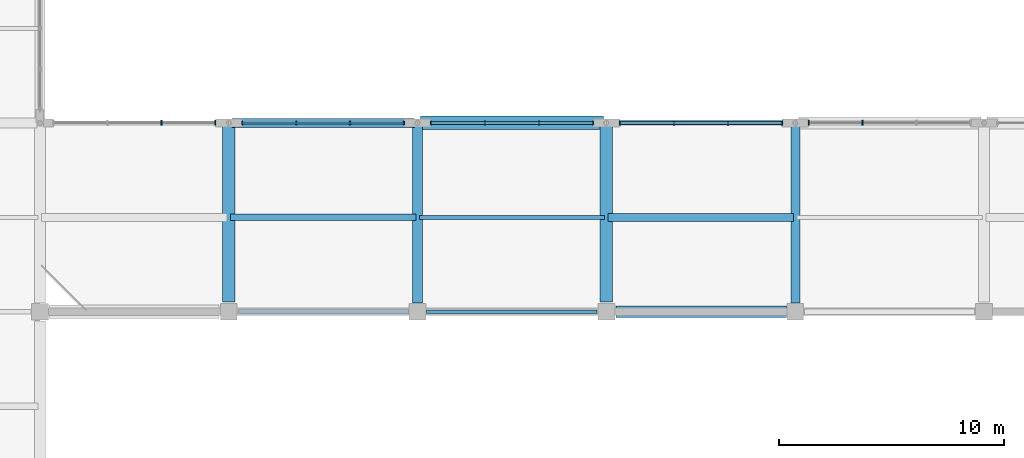
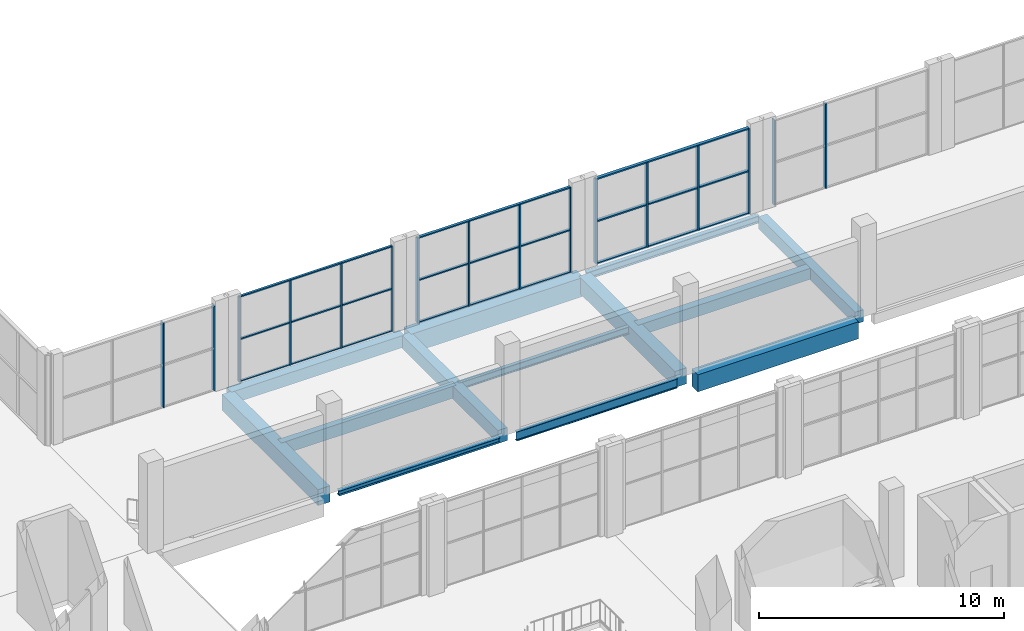
# One storey, part 29 of 75: 25 members, 13 beams, 5 elements without a shape of their own.
"""IFC4 building model written with IfcOpenShell, lengths in metres."""

from ifc_helpers import new_model, si_unit, derived_unit, direction, frame, origin, origin_2d, place, context, subcontext, project, spatial, rectangle, i_section, extrude, material, material_profile, profile_set, type_object, element, aggregate, save


model = new_model("IFC4")

# Units and contexts
model_context = context("Model", 3, precision=1e-05, world=origin(), true_north=direction((0.0, 1.0)))
body_context = subcontext(model_context, "Body", "Model", "MODEL_VIEW")
ifc_project = project(units=[si_unit("LENGTHUNIT", "METRE"), si_unit("AREAUNIT", "SQUARE_METRE"), si_unit("VOLUMEUNIT", "CUBIC_METRE"), si_unit("PLANEANGLEUNIT", "RADIAN"), si_unit("MASSUNIT", "GRAM", prefix="KILO"), derived_unit("THERMALTRANSMITTANCEUNIT", [(si_unit("POWERUNIT", "WATT"), 1), (si_unit("LENGTHUNIT", "METRE"), -2), (si_unit("THERMODYNAMICTEMPERATUREUNIT", "KELVIN"), -1)])], contexts=[model_context])

# Site, building, storey
site_placement = place(None, origin())
site = spatial("IfcSite", under=ifc_project, at=site_placement, CompositionType="ELEMENT")
building_placement = place(site_placement, origin())
building = spatial("IfcBuilding", under=site, at=building_placement, Name="Barrovel Congress Hotel", CompositionType="ELEMENT")
storey_placement = place(building_placement, frame((0.0, 0.0, 5.39990234375)))
storey = spatial("IfcBuildingStorey", under=building, at=storey_placement, Name="L01", CompositionType="ELEMENT", Elevation=5.39990234375)

# Beams
ifc_material_1 = material(Name="Concrete C40", Category="concrete")
ifc_material_profile_1 = material_profile(ifc_material_1, rectangle(XDim=0.300048828125, YDim=0.60009765625, at=origin_2d()), Name="RC300x600")
ifc_profile_set_1 = profile_set([ifc_material_profile_1], Name="Concrete C40")
beam_type_1 = type_object("IfcBeamType", Name="BM-RC300x600", PredefinedType="JOIST", material=ifc_profile_set_1)
beam_1_placement = place(storey_placement, frame((67.280029296875, 42.0, -0.559814453125), z_axis=(1.0, 0.0, 0.0), x_axis=(0.0, 1.0, 0.0)))
element("IfcBeam", 1, at=beam_1_placement, inside=storey, type_object=beam_type_1, Name="JST:L01:67.2:42.0", PredefinedType="JOIST", context=body_context, shape_type="SweptSolid", body=[
    extrude(rectangle(XDim=0.300048828125, YDim=0.60009765625, at=origin_2d()), origin(), (0.0, 0.0, 1.0), 8.239990234375),
])
ifc_material_profile_2 = material_profile(ifc_material_1, rectangle(XDim=0.35009765625, YDim=0.550048828125, at=origin_2d()), Name="RC350x550")
ifc_profile_set_2 = profile_set([ifc_material_profile_2], Name="Concrete C40")
beam_type_2 = type_object("IfcBeamType", Name="BM-RC350x550", PredefinedType="JOIST", material=ifc_profile_set_2)
beam_2_placement = place(storey_placement, frame((84.080078125, 42.0, -0.534912109375), z_axis=(1.0, 0.0, 0.0), x_axis=(0.0, 1.0, 0.0)))
element("IfcBeam", 2, at=beam_2_placement, inside=storey, type_object=beam_type_2, Name="JST:L01:84.0:42.0", PredefinedType="JOIST", context=body_context, shape_type="SweptSolid", body=[
    extrude(rectangle(XDim=0.35009765625, YDim=0.550048828125, at=origin_2d()), origin(), (0.0, 0.0, 1.0), 8.239990234375),
])
ifc_material_profile_3 = material_profile(ifc_material_1, rectangle(XDim=0.39990234375, YDim=0.60009765625, at=origin_2d()), Name="RC400x600")
ifc_profile_set_3 = profile_set([ifc_material_profile_3], Name="Concrete C40")
beam_type_3 = type_object("IfcBeamType", Name="BM-RC400x600", PredefinedType="BEAM", material=ifc_profile_set_3)
beam_3_placement = place(storey_placement, frame((67.336669921875, 46.199951171875, -0.559814453125), z_axis=(1.0, 0.0, 0.0), x_axis=(0.0, 1.0, 0.0)))
element("IfcBeam", 3, at=beam_3_placement, inside=storey, type_object=beam_type_3, Name="BMX:L01:46.2:67.2-75.6", PredefinedType="BEAM", context=body_context, shape_type="SweptSolid", body=[
    extrude(rectangle(XDim=0.39990234375, YDim=0.60009765625, at=origin_2d()), origin(), (0.0, 0.0, 1.0), 8.126708984375),
])
beam_4_placement = place(storey_placement, frame((92.39990234375, 38.199951171875, -0.559814453125), z_axis=(0.0, 1.0, 0.0), x_axis=(-1.0, 0.0, 0.0)))
element("IfcBeam", 4, at=beam_4_placement, inside=storey, type_object=beam_type_3, Name="BMY:L01:92.4:37.8-46.2", PredefinedType="BEAM", context=body_context, shape_type="SweptSolid", body=[
    extrude(rectangle(XDim=0.39990234375, YDim=0.60009765625, at=origin_2d()), origin(), (0.0, 0.0, 1.0), 7.863525390625),
])
ifc_material_profile_4 = material_profile(ifc_material_1, rectangle(XDim=0.449951171875, YDim=0.64990234375, at=origin_2d()), Name="RC450x650")
ifc_profile_set_4 = profile_set([ifc_material_profile_4], Name="Concrete C40")
beam_type_4 = type_object("IfcBeamType", Name="BM-RC450x650", PredefinedType="BEAM", material=ifc_profile_set_4)
beam_5_placement = place(storey_placement, frame((75.60009765625, 38.199951171875, -0.5849609375), z_axis=(0.0, 1.0, 0.0), x_axis=(-1.0, 0.0, 0.0)))
element("IfcBeam", 5, at=beam_5_placement, inside=storey, type_object=beam_type_4, Name="BMY:L01:75.6:37.8-46.2", PredefinedType="BEAM", context=body_context, shape_type="SweptSolid", body=[
    extrude(rectangle(XDim=0.449951171875, YDim=0.64990234375, at=origin_2d()), origin(), (0.0, 0.0, 1.0), 7.863525390625),
])
ifc_material_profile_5 = material_profile(ifc_material_1, rectangle(XDim=0.5, YDim=0.85009765625, at=origin_2d()), Name="RC500x850")
ifc_profile_set_5 = profile_set([ifc_material_profile_5], Name="Concrete C40")
beam_type_5 = type_object("IfcBeamType", Name="BM-RC500x850", PredefinedType="BEAM", material=ifc_profile_set_5)
beam_6_placement = place(storey_placement, frame((84.425048828125, 37.800048828125, -0.684814453125), z_axis=(1.0, 0.0, 0.0), x_axis=(0.0, 1.0, 0.0)))
element("IfcBeam", 6, at=beam_6_placement, inside=storey, type_object=beam_type_5, Name="BMX:L01:37.8:84.0-92.4", PredefinedType="BEAM", context=body_context, shape_type="SweptSolid", body=[
    extrude(rectangle(XDim=0.5, YDim=0.85009765625, at=origin_2d()), origin(), (0.0, 0.0, 1.0), 7.574951171875),
])
ifc_material_profile_6 = material_profile(ifc_material_1, rectangle(XDim=0.550048828125, YDim=0.800048828125, at=origin_2d()), Name="RC550x800")
ifc_profile_set_6 = profile_set([ifc_material_profile_6], Name="Concrete C40")
beam_type_6 = type_object("IfcBeamType", Name="BM-RC550x800", PredefinedType="BEAM", material=ifc_profile_set_6)
for number, where, z_axis, x_axis, name in (
    (7, (67.199951171875, 38.22509765625, -0.659912109375), (0.0, 1.0, 0.0), (-1.0, 0.0, 0.0), "BMY:L01:67.2:37.8-46.2"),
    (8, (84.0, 38.22509765625, -0.659912109375), (0.0, 1.0, 0.0), (-1.0, 0.0, 0.0), "BMY:L01:84.0:37.8-46.2"),
):
    element("IfcBeam", number, at=place(storey_placement, frame(where, z_axis=z_axis, x_axis=x_axis)), inside=storey, type_object=beam_type_6, Name=name, PredefinedType="BEAM", context=body_context, shape_type="SweptSolid", body=[
        extrude(rectangle(XDim=0.550048828125, YDim=0.800048828125, at=origin_2d()), origin(), (0.0, 0.0, 1.0), 7.83837890625),
    ])
ifc_material_profile_7 = material_profile(ifc_material_1, rectangle(XDim=0.60009765625, YDim=0.949951171875, at=origin_2d()), Name="RC600x950")
ifc_profile_set_7 = profile_set([ifc_material_profile_7], Name="Concrete C40")
beam_type_7 = type_object("IfcBeamType", Name="BM-RC600x950", PredefinedType="BEAM", material=ifc_profile_set_7)
beam_7_placement = place(storey_placement, frame((75.736572265625, 46.199951171875, -0.73486328125), z_axis=(1.0, 0.0, 0.0), x_axis=(0.0, 1.0, 0.0)))
element("IfcBeam", 9, at=beam_7_placement, inside=storey, type_object=beam_type_7, Name="BMX:L01:46.2:75.6-84.0", PredefinedType="BEAM", context=body_context, shape_type="SweptSolid", body=[
    extrude(rectangle(XDim=0.60009765625, YDim=0.949951171875, at=origin_2d()), origin(), (0.0, 0.0, 1.0), 8.126953125),
])

# Curtain wall, members
ifc_material_2 = material(Name="Anodised Aluminium Alloy 6063-T6", Category="aluminium")
curtain_wall_type = type_object("IfcCurtainWallType", Name="CW-ST-7200x3600", PredefinedType="USERDEFINED", material=ifc_material_2)
curtain_wall_1_placement = place(storey_placement, origin())
curtain_wall_1 = element("IfcCurtainWall", 10, at=curtain_wall_1_placement, inside=storey, type_object=curtain_wall_type, Name="CW:L01:CL:08", ObjectType="STICK CURTAIN WALL", PredefinedType="USERDEFINED")
ifc_material_profile_8 = material_profile(ifc_material_2, rectangle(XDim=0.06005859375, YDim=0.139892578125, at=origin_2d()), Name="AL-M60x140")
ifc_profile_set_8 = profile_set([ifc_material_profile_8], Name="Anodised Aluminium Alloy 6063-T6")
member_type_1 = type_object("IfcMemberType", Name="CWM-AL-M60x140", PredefinedType="MULLION", material=ifc_profile_set_8)
member_1_placement = place(storey_placement, frame((75.0, 46.199951171875, 0.0), z_axis=(0.0, 0.0, 1.0), x_axis=(1.0, 0.0, 0.0)))
member_1 = element("IfcMember", 11, at=member_1_placement, type_object=member_type_1, Name="CW:L01:CL:08:M0", PredefinedType="MULLION", context=body_context, shape_type="SweptSolid", body=[
    extrude(rectangle(XDim=0.06005859375, YDim=0.139892578125, at=origin_2d()), origin(), (0.0, 0.0, 1.0), 4.22021484375),
])
member_2_placement = place(storey_placement, frame((72.60009765625, 46.199951171875, 0.0), z_axis=(0.0, 0.0, 1.0), x_axis=(1.0, 0.0, 0.0)))
member_2 = element("IfcMember", 12, at=member_2_placement, type_object=member_type_1, Name="CW:L01:CL:08:M1", PredefinedType="MULLION", context=body_context, shape_type="SweptSolid", body=[
    extrude(rectangle(XDim=0.06005859375, YDim=0.139892578125, at=origin_2d()), origin(), (0.0, 0.0, 1.0), 4.22021484375),
])
member_3_placement = place(storey_placement, frame((70.199951171875, 46.199951171875, 0.0), z_axis=(0.0, 0.0, 1.0), x_axis=(1.0, 0.0, 0.0)))
member_3 = element("IfcMember", 13, at=member_3_placement, type_object=member_type_1, Name="CW:L01:CL:08:M2", PredefinedType="MULLION", context=body_context, shape_type="SweptSolid", body=[
    extrude(rectangle(XDim=0.06005859375, YDim=0.139892578125, at=origin_2d()), origin(), (0.0, 0.0, 1.0), 4.22021484375),
])
member_4_placement = place(storey_placement, frame((67.800048828125, 46.199951171875, 0.0), z_axis=(0.0, 0.0, 1.0), x_axis=(1.0, 0.0, 0.0)))
member_4 = element("IfcMember", 14, at=member_4_placement, type_object=member_type_1, Name="CW:L01:CL:08:M3", PredefinedType="MULLION", context=body_context, shape_type="SweptSolid", body=[
    extrude(rectangle(XDim=0.06005859375, YDim=0.139892578125, at=origin_2d()), origin(), (0.0, 0.0, 1.0), 4.22021484375),
])

curtain_wall_2_placement = place(storey_placement, origin())
curtain_wall_2 = element("IfcCurtainWall", 15, at=curtain_wall_2_placement, inside=storey, type_object=curtain_wall_type, Name="CW:L01:CL:09", ObjectType="STICK CURTAIN WALL", PredefinedType="USERDEFINED")
ifc_material_profile_9 = material_profile(ifc_material_2, rectangle(XDim=0.06005859375, YDim=0.1650390625, at=origin_2d()), Name="AL-M60x165")
ifc_profile_set_9 = profile_set([ifc_material_profile_9], Name="Anodised Aluminium Alloy 6063-T6")
member_type_2 = type_object("IfcMemberType", Name="CWM-AL-M60x165", PredefinedType="MULLION", material=ifc_profile_set_9)
member_5_placement = place(storey_placement, frame((83.39990234375, 46.199951171875, 0.0), z_axis=(0.0, 0.0, 1.0), x_axis=(1.0, 0.0, 0.0)))
member_5 = element("IfcMember", 16, at=member_5_placement, type_object=member_type_2, Name="CW:L01:CL:09:M0", PredefinedType="MULLION", context=body_context, shape_type="SweptSolid", body=[
    extrude(rectangle(XDim=0.06005859375, YDim=0.1650390625, at=origin_2d()), origin(), (0.0, 0.0, 1.0), 4.22021484375),
])
member_6_placement = place(storey_placement, frame((81.0, 46.199951171875, 0.0), z_axis=(0.0, 0.0, 1.0), x_axis=(1.0, 0.0, 0.0)))
member_6 = element("IfcMember", 17, at=member_6_placement, type_object=member_type_2, Name="CW:L01:CL:09:M1", PredefinedType="MULLION", context=body_context, shape_type="SweptSolid", body=[
    extrude(rectangle(XDim=0.06005859375, YDim=0.1650390625, at=origin_2d()), origin(), (0.0, 0.0, 1.0), 4.22021484375),
])
member_7_placement = place(storey_placement, frame((78.60009765625, 46.199951171875, 0.0), z_axis=(0.0, 0.0, 1.0), x_axis=(1.0, 0.0, 0.0)))
member_7 = element("IfcMember", 18, at=member_7_placement, type_object=member_type_2, Name="CW:L01:CL:09:M2", PredefinedType="MULLION", context=body_context, shape_type="SweptSolid", body=[
    extrude(rectangle(XDim=0.06005859375, YDim=0.1650390625, at=origin_2d()), origin(), (0.0, 0.0, 1.0), 4.22021484375),
])
member_8_placement = place(storey_placement, frame((76.199951171875, 46.199951171875, 0.0), z_axis=(0.0, 0.0, 1.0), x_axis=(1.0, 0.0, 0.0)))
member_8 = element("IfcMember", 19, at=member_8_placement, type_object=member_type_2, Name="CW:L01:CL:09:M3", PredefinedType="MULLION", context=body_context, shape_type="SweptSolid", body=[
    extrude(rectangle(XDim=0.06005859375, YDim=0.1650390625, at=origin_2d()), origin(), (0.0, 0.0, 1.0), 4.22021484375),
])

curtain_wall_3_placement = place(storey_placement, origin())
curtain_wall_3 = element("IfcCurtainWall", 20, at=curtain_wall_3_placement, inside=storey, type_object=curtain_wall_type, Name="CW:L01:CL:10", ObjectType="STICK CURTAIN WALL", PredefinedType="USERDEFINED")
ifc_material_profile_10 = material_profile(ifc_material_2, rectangle(XDim=0.06494140625, YDim=0.18994140625, at=origin_2d()), Name="AL-M65x190")
ifc_profile_set_10 = profile_set([ifc_material_profile_10], Name="Anodised Aluminium Alloy 6063-T6")
member_type_3 = type_object("IfcMemberType", Name="CWM-AL-M65x190", PredefinedType="MULLION", material=ifc_profile_set_10)
member_9_placement = place(storey_placement, frame((91.800048828125, 46.199951171875, 0.0), z_axis=(0.0, 0.0, 1.0), x_axis=(1.0, 0.0, 0.0)))
member_9 = element("IfcMember", 21, at=member_9_placement, type_object=member_type_3, Name="CW:L01:CL:10:M0", PredefinedType="MULLION", context=body_context, shape_type="SweptSolid", body=[
    extrude(rectangle(XDim=0.06494140625, YDim=0.18994140625, at=origin_2d()), origin(), (0.0, 0.0, 1.0), 4.22021484375),
])
member_10_placement = place(storey_placement, frame((89.39990234375, 46.199951171875, 0.0), z_axis=(0.0, 0.0, 1.0), x_axis=(1.0, 0.0, 0.0)))
member_10 = element("IfcMember", 22, at=member_10_placement, type_object=member_type_3, Name="CW:L01:CL:10:M1", PredefinedType="MULLION", context=body_context, shape_type="SweptSolid", body=[
    extrude(rectangle(XDim=0.06494140625, YDim=0.18994140625, at=origin_2d()), origin(), (0.0, 0.0, 1.0), 4.22021484375),
])
member_11_placement = place(storey_placement, frame((87.0, 46.199951171875, 0.0), z_axis=(0.0, 0.0, 1.0), x_axis=(1.0, 0.0, 0.0)))
member_11 = element("IfcMember", 23, at=member_11_placement, type_object=member_type_3, Name="CW:L01:CL:10:M2", PredefinedType="MULLION", context=body_context, shape_type="SweptSolid", body=[
    extrude(rectangle(XDim=0.06494140625, YDim=0.18994140625, at=origin_2d()), origin(), (0.0, 0.0, 1.0), 4.22021484375),
])
member_12_placement = place(storey_placement, frame((84.60009765625, 46.199951171875, 0.0), z_axis=(0.0, 0.0, 1.0), x_axis=(1.0, 0.0, 0.0)))
member_12 = element("IfcMember", 24, at=member_12_placement, type_object=member_type_3, Name="CW:L01:CL:10:M3", PredefinedType="MULLION", context=body_context, shape_type="SweptSolid", body=[
    extrude(rectangle(XDim=0.06494140625, YDim=0.18994140625, at=origin_2d()), origin(), (0.0, 0.0, 1.0), 4.22021484375),
])

curtain_wall_4_placement = place(storey_placement, origin())
curtain_wall_4 = element("IfcCurtainWall", 25, at=curtain_wall_4_placement, inside=storey, type_object=curtain_wall_type, Name="CW:L01:CL:07", ObjectType="STICK CURTAIN WALL", PredefinedType="USERDEFINED")
ifc_material_profile_11 = material_profile(ifc_material_2, rectangle(XDim=0.06494140625, YDim=0.219970703125, at=origin_2d()), Name="AL-M65x220")
ifc_profile_set_11 = profile_set([ifc_material_profile_11], Name="Anodised Aluminium Alloy 6063-T6")
member_type_4 = type_object("IfcMemberType", Name="CWM-AL-M65x220", PredefinedType="MULLION", material=ifc_profile_set_11)
member_13_placement = place(storey_placement, frame((66.60009765625, 46.199951171875, 0.0), z_axis=(0.0, 0.0, 1.0), x_axis=(1.0, 0.0, 0.0)))
member_13 = element("IfcMember", 26, at=member_13_placement, type_object=member_type_4, Name="CW:L01:CL:07:M0", PredefinedType="MULLION", context=body_context, shape_type="SweptSolid", body=[
    extrude(rectangle(XDim=0.06494140625, YDim=0.219970703125, at=origin_2d()), origin(), (0.0, 0.0, 1.0), 4.22021484375),
])
member_14_placement = place(storey_placement, frame((64.199951171875, 46.199951171875, 0.0), z_axis=(0.0, 0.0, 1.0), x_axis=(1.0, 0.0, 0.0)))
member_14 = element("IfcMember", 27, at=member_14_placement, type_object=member_type_4, Name="CW:L01:CL:07:M1", PredefinedType="MULLION", context=body_context, shape_type="SweptSolid", body=[
    extrude(rectangle(XDim=0.06494140625, YDim=0.219970703125, at=origin_2d()), origin(), (0.0, 0.0, 1.0), 4.22021484375),
])
aggregate(curtain_wall_4, [member_13, member_14])

curtain_wall_5_placement = place(storey_placement, origin())
curtain_wall_5 = element("IfcCurtainWall", 28, at=curtain_wall_5_placement, inside=storey, type_object=curtain_wall_type, Name="CW:L01:CL:11", ObjectType="STICK CURTAIN WALL", PredefinedType="USERDEFINED")
member_15_placement = place(storey_placement, frame((95.39990234375, 46.199951171875, 0.0), z_axis=(0.0, 0.0, 1.0), x_axis=(1.0, 0.0, 0.0)))
member_15 = element("IfcMember", 29, at=member_15_placement, type_object=member_type_4, Name="CW:L01:CL:11:M2", PredefinedType="MULLION", context=body_context, shape_type="SweptSolid", body=[
    extrude(rectangle(XDim=0.06494140625, YDim=0.219970703125, at=origin_2d()), origin(), (0.0, 0.0, 1.0), 4.22021484375),
])
member_16_placement = place(storey_placement, frame((93.0, 46.199951171875, 0.0), z_axis=(0.0, 0.0, 1.0), x_axis=(1.0, 0.0, 0.0)))
member_16 = element("IfcMember", 30, at=member_16_placement, type_object=member_type_4, Name="CW:L01:CL:11:M3", PredefinedType="MULLION", context=body_context, shape_type="SweptSolid", body=[
    extrude(rectangle(XDim=0.06494140625, YDim=0.219970703125, at=origin_2d()), origin(), (0.0, 0.0, 1.0), 4.22021484375),
])
aggregate(curtain_wall_5, [member_15, member_16])

# Member
ifc_material_profile_12 = material_profile(ifc_material_2, rectangle(XDim=0.10498046875, YDim=0.06005859375, at=origin_2d()), Name="AL-T60x105")
ifc_profile_set_12 = profile_set([ifc_material_profile_12], Name="Anodised Aluminium Alloy 6063-T6")
member_type_5 = type_object("IfcMemberType", Name="CWT-AL-T60x105", PredefinedType="USERDEFINED", material=ifc_profile_set_12)
member_17_placement = place(storey_placement, frame((75.0, 46.199951171875, 0.0), z_axis=(-1.0, 0.0, 0.0), x_axis=(0.0, -1.0, 0.0)))
member_17 = element("IfcMember", 31, at=member_17_placement, type_object=member_type_5, Name="CW:L01:CL:08:T0", ObjectType="TRANSOM", PredefinedType="USERDEFINED", context=body_context, shape_type="SweptSolid", body=[
    extrude(rectangle(XDim=0.10498046875, YDim=0.06005859375, at=origin_2d()), origin(), (0.0, 0.0, 1.0), 7.199951171875),
])

member_18_placement = place(storey_placement, frame((75.0, 46.199951171875, 2.110107421875), z_axis=(-1.0, 0.0, 0.0), x_axis=(0.0, -1.0, 0.0)))
member_18 = element("IfcMember", 32, at=member_18_placement, type_object=member_type_5, Name="CW:L01:CL:08:T1", ObjectType="TRANSOM", PredefinedType="USERDEFINED", context=body_context, shape_type="SweptSolid", body=[
    extrude(rectangle(XDim=0.10498046875, YDim=0.06005859375, at=origin_2d()), origin(), (0.0, 0.0, 1.0), 7.199951171875),
])

member_19_placement = place(storey_placement, frame((75.0, 46.199951171875, 4.22021484375), z_axis=(-1.0, 0.0, 0.0), x_axis=(0.0, -1.0, 0.0)))
member_19 = element("IfcMember", 33, at=member_19_placement, type_object=member_type_5, Name="CW:L01:CL:08:T2", ObjectType="TRANSOM", PredefinedType="USERDEFINED", context=body_context, shape_type="SweptSolid", body=[
    extrude(rectangle(XDim=0.10498046875, YDim=0.06005859375, at=origin_2d()), origin(), (0.0, 0.0, 1.0), 7.199951171875),
])

aggregate(curtain_wall_1, [member_1, member_2, member_3, member_4, member_17, member_18, member_19])

ifc_material_profile_13 = material_profile(ifc_material_2, rectangle(XDim=0.125, YDim=0.06005859375, at=origin_2d()), Name="AL-T60x125")
ifc_profile_set_13 = profile_set([ifc_material_profile_13], Name="Anodised Aluminium Alloy 6063-T6")
member_type_6 = type_object("IfcMemberType", Name="CWT-AL-T60x125", PredefinedType="USERDEFINED", material=ifc_profile_set_13)
member_20_placement = place(storey_placement, frame((83.39990234375, 46.199951171875, 0.0), z_axis=(-1.0, 0.0, 0.0), x_axis=(0.0, -1.0, 0.0)))
member_20 = element("IfcMember", 34, at=member_20_placement, type_object=member_type_6, Name="CW:L01:CL:09:T0", ObjectType="TRANSOM", PredefinedType="USERDEFINED", context=body_context, shape_type="SweptSolid", body=[
    extrude(rectangle(XDim=0.125, YDim=0.06005859375, at=origin_2d()), origin(), (0.0, 0.0, 1.0), 7.199951171875),
])

member_21_placement = place(storey_placement, frame((83.39990234375, 46.199951171875, 2.110107421875), z_axis=(-1.0, 0.0, 0.0), x_axis=(0.0, -1.0, 0.0)))
member_21 = element("IfcMember", 35, at=member_21_placement, type_object=member_type_6, Name="CW:L01:CL:09:T1", ObjectType="TRANSOM", PredefinedType="USERDEFINED", context=body_context, shape_type="SweptSolid", body=[
    extrude(rectangle(XDim=0.125, YDim=0.06005859375, at=origin_2d()), origin(), (0.0, 0.0, 1.0), 7.199951171875),
])

member_22_placement = place(storey_placement, frame((83.39990234375, 46.199951171875, 4.22021484375), z_axis=(-1.0, 0.0, 0.0), x_axis=(0.0, -1.0, 0.0)))
member_22 = element("IfcMember", 36, at=member_22_placement, type_object=member_type_6, Name="CW:L01:CL:09:T2", ObjectType="TRANSOM", PredefinedType="USERDEFINED", context=body_context, shape_type="SweptSolid", body=[
    extrude(rectangle(XDim=0.125, YDim=0.06005859375, at=origin_2d()), origin(), (0.0, 0.0, 1.0), 7.199951171875),
])

aggregate(curtain_wall_2, [member_5, member_6, member_7, member_8, member_20, member_21, member_22])

ifc_material_profile_14 = material_profile(ifc_material_2, rectangle(XDim=0.14990234375, YDim=0.06494140625, at=origin_2d()), Name="AL-T65x150")
ifc_profile_set_14 = profile_set([ifc_material_profile_14], Name="Anodised Aluminium Alloy 6063-T6")
member_type_7 = type_object("IfcMemberType", Name="CWT-AL-T65x150", PredefinedType="USERDEFINED", material=ifc_profile_set_14)
member_23_placement = place(storey_placement, frame((91.800048828125, 46.199951171875, 0.0), z_axis=(-1.0, 0.0, 0.0), x_axis=(0.0, -1.0, 0.0)))
member_23 = element("IfcMember", 37, at=member_23_placement, type_object=member_type_7, Name="CW:L01:CL:10:T0", ObjectType="TRANSOM", PredefinedType="USERDEFINED", context=body_context, shape_type="SweptSolid", body=[
    extrude(rectangle(XDim=0.14990234375, YDim=0.06494140625, at=origin_2d()), origin(), (0.0, 0.0, 1.0), 7.199951171875),
])

member_24_placement = place(storey_placement, frame((91.800048828125, 46.199951171875, 2.110107421875), z_axis=(-1.0, 0.0, 0.0), x_axis=(0.0, -1.0, 0.0)))
member_24 = element("IfcMember", 38, at=member_24_placement, type_object=member_type_7, Name="CW:L01:CL:10:T1", ObjectType="TRANSOM", PredefinedType="USERDEFINED", context=body_context, shape_type="SweptSolid", body=[
    extrude(rectangle(XDim=0.14990234375, YDim=0.06494140625, at=origin_2d()), origin(), (0.0, 0.0, 1.0), 7.199951171875),
])

member_25_placement = place(storey_placement, frame((91.800048828125, 46.199951171875, 4.22021484375), z_axis=(-1.0, 0.0, 0.0), x_axis=(0.0, -1.0, 0.0)))
member_25 = element("IfcMember", 39, at=member_25_placement, type_object=member_type_7, Name="CW:L01:CL:10:T2", ObjectType="TRANSOM", PredefinedType="USERDEFINED", context=body_context, shape_type="SweptSolid", body=[
    extrude(rectangle(XDim=0.14990234375, YDim=0.06494140625, at=origin_2d()), origin(), (0.0, 0.0, 1.0), 7.199951171875),
])

aggregate(curtain_wall_3, [member_9, member_10, member_11, member_12, member_23, member_24, member_25])

# Beams
ifc_material_3 = material(Name="Steel ASTM A992 Grade 50", Category="steel")
ifc_material_profile_15 = material_profile(ifc_material_3, i_section(OverallWidth=0.201904296875, OverallDepth=0.2470703125, WebThickness=0.00732421875, FlangeThickness=0.010986328125, FilletRadius=0.011962890625, at=origin_2d()), Name="W250x49")
ifc_profile_set_15 = profile_set([ifc_material_profile_15], Name="Steel ASTM A992 Grade 50")
beam_type_8 = type_object("IfcBeamType", Name="SBM-W250x49", PredefinedType="SPANDREL", material=ifc_profile_set_15)
beam_8_placement = place(storey_placement, frame((67.625, 37.800048828125, -0.38330078125), z_axis=(1.0, 0.0, 0.0), x_axis=(0.0, 1.0, 0.0)))
element("IfcBeam", 40, at=beam_8_placement, inside=storey, type_object=beam_type_8, Name="BMX:L01:37.8:67.2-75.6", PredefinedType="SPANDREL", context=body_context, shape_type="SweptSolid", body=[
    extrude(i_section(OverallWidth=0.201904296875, OverallDepth=0.2470703125, WebThickness=0.00732421875, FlangeThickness=0.010986328125, FilletRadius=0.011962890625, at=origin_2d()), origin(), (0.0, 0.0, 1.0), 7.574951171875),
])
ifc_material_profile_16 = material_profile(ifc_material_3, i_section(OverallWidth=0.172119140625, OverallDepth=0.35791015625, WebThickness=0.0078125, FlangeThickness=0.01318359375, FilletRadius=0.011962890625, at=origin_2d()), Name="W360x57")
ifc_profile_set_16 = profile_set([ifc_material_profile_16], Name="Steel ASTM A992 Grade 50")
beam_type_9 = type_object("IfcBeamType", Name="SBM-W360x57", PredefinedType="JOIST", material=ifc_profile_set_16)
beam_9_placement = place(storey_placement, frame((75.679931640625, 42.0, -0.43896484375), z_axis=(1.0, 0.0, 0.0), x_axis=(0.0, 1.0, 0.0)))
element("IfcBeam", 41, at=beam_9_placement, inside=storey, type_object=beam_type_9, Name="JST:L01:75.6:42.0", PredefinedType="JOIST", context=body_context, shape_type="SweptSolid", body=[
    extrude(i_section(OverallWidth=0.172119140625, OverallDepth=0.35791015625, WebThickness=0.0078125, FlangeThickness=0.01318359375, FilletRadius=0.011962890625, at=origin_2d()), origin(), (0.0, 0.0, 1.0), 8.239990234375),
])
ifc_material_profile_17 = material_profile(ifc_material_3, i_section(OverallWidth=0.205078125, OverallDepth=0.35400390625, WebThickness=0.009521484375, FlangeThickness=0.016845703125, FilletRadius=0.012939453125, at=origin_2d()), Name="W360x79")
ifc_profile_set_17 = profile_set([ifc_material_profile_17], Name="Steel ASTM A992 Grade 50")
beam_type_10 = type_object("IfcBeamType", Name="SBM-W360x79", PredefinedType="BEAM", material=ifc_profile_set_17)
beam_10_placement = place(storey_placement, frame((84.136474609375, 46.199951171875, -0.43701171875), z_axis=(1.0, 0.0, 0.0), x_axis=(0.0, 1.0, 0.0)))
element("IfcBeam", 42, at=beam_10_placement, inside=storey, type_object=beam_type_10, Name="BMX:L01:46.2:84.0-92.4", PredefinedType="BEAM", context=body_context, shape_type="SweptSolid", body=[
    extrude(i_section(OverallWidth=0.205078125, OverallDepth=0.35400390625, WebThickness=0.009521484375, FlangeThickness=0.016845703125, FilletRadius=0.012939453125, at=origin_2d()), origin(), (0.0, 0.0, 1.0), 8.126953125),
])
ifc_material_profile_18 = material_profile(ifc_material_3, i_section(OverallWidth=0.154052734375, OverallDepth=0.458984375, WebThickness=0.009033203125, FlangeThickness=0.015380859375, FilletRadius=0.012939453125, at=origin_2d()), Name="W460x68")
ifc_profile_set_18 = profile_set([ifc_material_profile_18], Name="Steel ASTM A992 Grade 50")
beam_type_11 = type_object("IfcBeamType", Name="SBM-W460x68", PredefinedType="BEAM", material=ifc_profile_set_18)
beam_11_placement = place(storey_placement, frame((76.0, 37.800048828125, -0.489501953125), z_axis=(1.0, 0.0, 0.0), x_axis=(0.0, 1.0, 0.0)))
element("IfcBeam", 43, at=beam_11_placement, inside=storey, type_object=beam_type_11, Name="BMX:L01:37.8:75.6-84.0", PredefinedType="BEAM", context=body_context, shape_type="SweptSolid", body=[
    extrude(i_section(OverallWidth=0.154052734375, OverallDepth=0.458984375, WebThickness=0.009033203125, FlangeThickness=0.015380859375, FilletRadius=0.012939453125, at=origin_2d()), origin(), (0.0, 0.0, 1.0), 7.574951171875),
])

save(model, "model.ifc")
